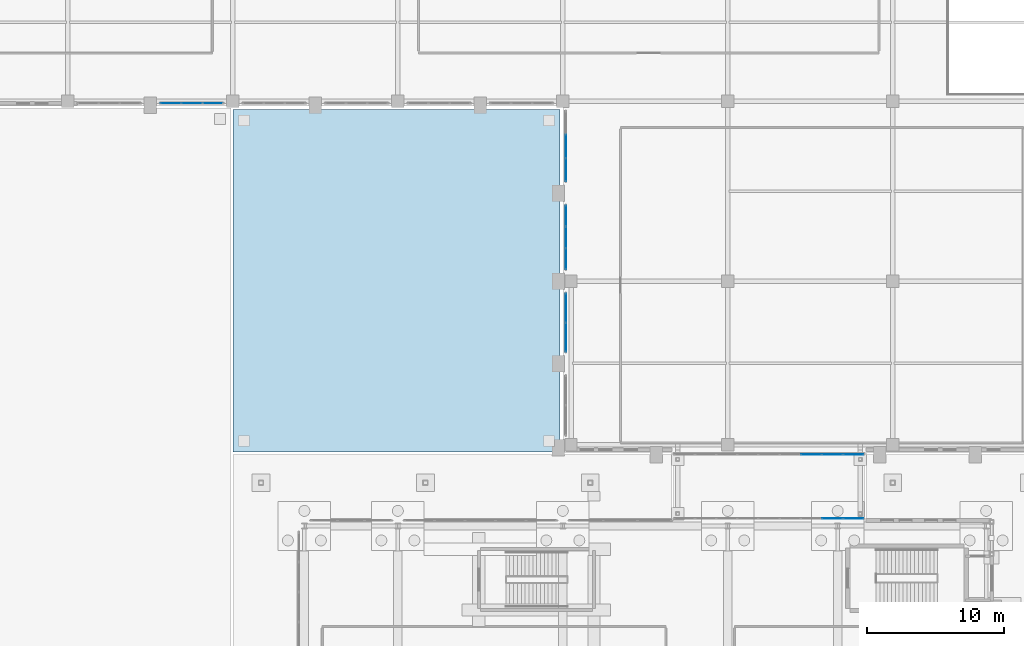
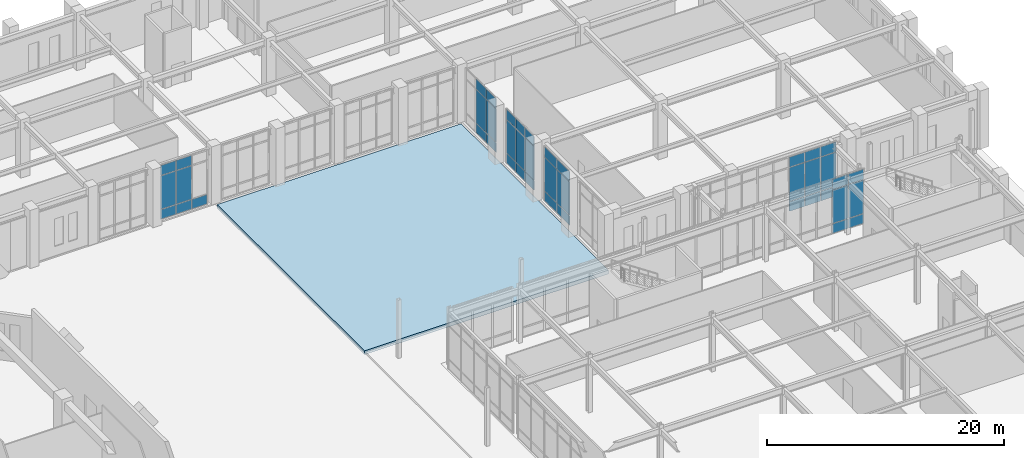
# One storey, part 95 of 143: 43 plates, 1 slab, 6 elements without a shape of their own.
"""IFC4 building model written with IfcOpenShell, lengths in metres."""

from ifc_helpers import new_model, si_unit, derived_unit, direction, frame, origin, origin_2d, place, context, subcontext, project, spatial, polyline, rectangle, outline, extrude, material, layer, layer_set, type_object, element, aggregate, save


model = new_model("IFC4")

# Units and contexts
model_context = context("Model", 3, precision=1e-05, world=origin(), true_north=direction((0.0, 1.0)))
body_context = subcontext(model_context, "Body", "Model", "MODEL_VIEW")
ifc_project = project(units=[si_unit("LENGTHUNIT", "METRE"), si_unit("AREAUNIT", "SQUARE_METRE"), si_unit("VOLUMEUNIT", "CUBIC_METRE"), si_unit("PLANEANGLEUNIT", "RADIAN"), si_unit("MASSUNIT", "GRAM", prefix="KILO"), derived_unit("THERMALTRANSMITTANCEUNIT", [(si_unit("MASSUNIT", "GRAM", prefix="KILO"), 1), (si_unit("TIMEUNIT", "SECOND"), -3), (si_unit("THERMODYNAMICTEMPERATUREUNIT", "KELVIN"), -1)])], contexts=[model_context])

# Site, building, storey
site_placement = place(None, origin())
site = spatial("IfcSite", under=ifc_project, at=site_placement, CompositionType="ELEMENT")
building_placement = place(site_placement, origin())
building = spatial("IfcBuilding", under=site, at=building_placement, Name="Valcora Ridge Arena", CompositionType="ELEMENT")
storey_placement = place(building_placement, origin())
storey = spatial("IfcBuildingStorey", under=building, at=storey_placement, Name="L00", CompositionType="ELEMENT", Elevation=0.0)

# Curtain wall, plate
ifc_material_1 = material(Name="Anodised dark bronze architectural aluminium 6063-T6", Category="aluminium")
ifc_layer_1 = layer(ifc_material_1, 0.14990234375, Name="Anodised dark bronze architectural aluminium 6063-T6")
ifc_layer_set_1 = layer_set([ifc_layer_1], Name="Anodised dark bronze architectural aluminium 6063-T6")
curtain_wall_type_1 = type_object("IfcCurtainWallType", Name="TY-CURTAINWALL-CW-BRG-138X57", PredefinedType="NOTDEFINED", material=ifc_layer_set_1)
curtain_wall_1_placement = place(storey_placement, origin())
curtain_wall_1 = element("IfcCurtainWall", 1, at=curtain_wall_1_placement, inside=storey, type_object=curtain_wall_type_1, Name="CW-BRG-138X57 CW-0354", PredefinedType="NOTDEFINED")
ifc_material_2 = material(Name="Low-iron solar-control double glazing SHGC 0.28", Category="glass")
ifc_layer_2 = layer(ifc_material_2, 0.028076171875, Name="Low-iron solar-control double glazing SHGC 0.28")
ifc_layer_set_2 = layer_set([ifc_layer_2], Name="Low-iron solar-control double glazing SHGC 0.28")
plate_type_1 = type_object("IfcPlateType", Name="TY-PLT-CWP-1463X0975", PredefinedType="CURTAIN_PANEL", material=ifc_layer_set_2)
plate_1_placement = place(storey_placement, frame((177.138427734375, 78.35009765625, 0.050048828125), z_axis=(0.0, 0.0, 1.0), x_axis=(1.0, 0.0, 0.0)))
plate_1 = element("IfcPlate", 2, at=plate_1_placement, type_object=plate_type_1, Name="CW-0354/P08-00", PredefinedType="CURTAIN_PANEL", context=body_context, shape_type="SweptSolid", body=[
    extrude(rectangle(XDim=1.462890625, YDim=0.028076171875, at=origin_2d()), origin(), (0.0, 0.0, 1.0), 0.97509765625),
])

curtain_wall_2_placement = place(storey_placement, origin())
curtain_wall_2 = element("IfcCurtainWall", 3, at=curtain_wall_2_placement, inside=storey, type_object=curtain_wall_type_1, Name="CW-BRG-138X57 CW-0355", PredefinedType="NOTDEFINED")
plate_2_placement = place(storey_placement, frame((177.138427734375, 83.0, 0.050048828125), z_axis=(0.0, 0.0, 1.0), x_axis=(1.0, 0.0, 0.0)))
plate_2 = element("IfcPlate", 4, at=plate_2_placement, type_object=plate_type_1, Name="CW-0355/P08-00", PredefinedType="CURTAIN_PANEL", context=body_context, shape_type="SweptSolid", body=[
    extrude(rectangle(XDim=1.462890625, YDim=0.028076171875, at=origin_2d()), origin(), (0.0, 0.0, 1.0), 0.97509765625),
])

# Plate
ifc_layer_3 = layer(ifc_material_2, 0.028076171875, Name="Low-iron solar-control double glazing SHGC 0.28")
ifc_layer_set_3 = layer_set([ifc_layer_3], Name="Low-iron solar-control double glazing SHGC 0.28")
plate_type_2 = type_object("IfcPlateType", Name="TY-PLT-CWP-1463X1025", PredefinedType="CURTAIN_PANEL", material=ifc_layer_set_3)
plate_3_placement = place(storey_placement, frame((177.138427734375, 78.35009765625, 4.60498046875), z_axis=(0.0, 0.0, 1.0), x_axis=(1.0, 0.0, 0.0)))
plate_3 = element("IfcPlate", 5, at=plate_3_placement, type_object=plate_type_2, Name="CW-0354/P08-02", PredefinedType="CURTAIN_PANEL", context=body_context, shape_type="SweptSolid", body=[
    extrude(rectangle(XDim=1.462890625, YDim=0.028076171875, at=origin_2d()), origin(), (0.0, 0.0, 1.0), 1.02490234375),
])

plate_4_placement = place(storey_placement, frame((177.138427734375, 83.0, 4.60498046875), z_axis=(0.0, 0.0, 1.0), x_axis=(1.0, 0.0, 0.0)))
plate_4 = element("IfcPlate", 6, at=plate_4_placement, type_object=plate_type_2, Name="CW-0355/P08-02", PredefinedType="CURTAIN_PANEL", context=body_context, shape_type="SweptSolid", body=[
    extrude(rectangle(XDim=1.462890625, YDim=0.028076171875, at=origin_2d()), origin(), (0.0, 0.0, 1.0), 1.02490234375),
])

ifc_layer_4 = layer(ifc_material_2, 0.028076171875, Name="Low-iron solar-control double glazing SHGC 0.28")
ifc_layer_set_4 = layer_set([ifc_layer_4], Name="Low-iron solar-control double glazing SHGC 0.28")
plate_type_3 = type_object("IfcPlateType", Name="TY-PLT-CWP-1463X3480", PredefinedType="CURTAIN_PANEL", material=ifc_layer_set_4)
plate_5_placement = place(storey_placement, frame((177.138427734375, 78.35009765625, 1.074951171875), z_axis=(0.0, 0.0, 1.0), x_axis=(1.0, 0.0, 0.0)))
plate_5 = element("IfcPlate", 7, at=plate_5_placement, type_object=plate_type_3, Name="CW-0354/P08-01", PredefinedType="CURTAIN_PANEL", context=body_context, shape_type="SweptSolid", body=[
    extrude(rectangle(XDim=1.462890625, YDim=0.028076171875, at=origin_2d()), origin(), (0.0, 0.0, 1.0), 3.47998046875),
])

plate_6_placement = place(storey_placement, frame((177.138427734375, 83.0, 1.074951171875), z_axis=(0.0, 0.0, 1.0), x_axis=(1.0, 0.0, 0.0)))
plate_6 = element("IfcPlate", 8, at=plate_6_placement, type_object=plate_type_3, Name="CW-0355/P08-01", PredefinedType="CURTAIN_PANEL", context=body_context, shape_type="SweptSolid", body=[
    extrude(rectangle(XDim=1.462890625, YDim=0.028076171875, at=origin_2d()), origin(), (0.0, 0.0, 1.0), 3.47998046875),
])

# Curtain wall, plates
ifc_layer_5 = layer(ifc_material_1, 0.14990234375, Name="Anodised dark bronze architectural aluminium 6063-T6")
ifc_layer_set_5 = layer_set([ifc_layer_5], Name="Anodised dark bronze architectural aluminium 6063-T6")
curtain_wall_type_2 = type_object("IfcCurtainWallType", Name="TY-CURTAINWALL-CW-V5-MED-046X56", PredefinedType="NOTDEFINED", material=ifc_layer_set_5)
curtain_wall_3_placement = place(storey_placement, origin())
curtain_wall_3 = element("IfcCurtainWall", 9, at=curtain_wall_3_placement, inside=storey, type_object=curtain_wall_type_2, Name="CW-V5-MED-046X56 CW-0307", PredefinedType="NOTDEFINED")
ifc_layer_6 = layer(ifc_material_2, 0.028076171875, Name="Low-iron solar-control double glazing SHGC 0.28")
ifc_layer_set_6 = layer_set([ifc_layer_6], Name="Low-iron solar-control double glazing SHGC 0.28")
plate_type_4 = type_object("IfcPlateType", Name="TY-PLT-CWP-1465X0975", PredefinedType="CURTAIN_PANEL", material=ifc_layer_set_6)
plate_7_placement = place(storey_placement, frame((127.472412109375, 108.550048828125, 0.050048828125), z_axis=(0.0, 0.0, 1.0), x_axis=(1.0, 0.0, 0.0)))
plate_7 = element("IfcPlate", 10, at=plate_7_placement, type_object=plate_type_4, Name="CW-0307/P00-00", PredefinedType="CURTAIN_PANEL", context=body_context, shape_type="SweptSolid", body=[
    extrude(rectangle(XDim=1.465087890625, YDim=0.028076171875, at=origin_2d()), origin(), (0.0, 0.0, 1.0), 0.97509765625),
])
plate_8_placement = place(storey_placement, frame((130.527587890625, 108.550048828125, 0.050048828125), z_axis=(0.0, 0.0, 1.0), x_axis=(1.0, 0.0, 0.0)))
plate_8 = element("IfcPlate", 11, at=plate_8_placement, type_object=plate_type_4, Name="CW-0307/P02-00", PredefinedType="CURTAIN_PANEL", context=body_context, shape_type="SweptSolid", body=[
    extrude(rectangle(XDim=1.465087890625, YDim=0.028076171875, at=origin_2d()), origin(), (0.0, 0.0, 1.0), 0.97509765625),
])
ifc_layer_7 = layer(ifc_material_2, 0.028076171875, Name="Low-iron solar-control double glazing SHGC 0.28")
ifc_layer_set_7 = layer_set([ifc_layer_7], Name="Low-iron solar-control double glazing SHGC 0.28")
plate_type_5 = type_object("IfcPlateType", Name="TY-PLT-CWP-1465X1025", PredefinedType="CURTAIN_PANEL", material=ifc_layer_set_7)
plate_9_placement = place(storey_placement, frame((127.472412109375, 108.550048828125, 4.56494140625), z_axis=(0.0, 0.0, 1.0), x_axis=(1.0, 0.0, 0.0)))
plate_9 = element("IfcPlate", 12, at=plate_9_placement, type_object=plate_type_5, Name="CW-0307/P00-02", PredefinedType="CURTAIN_PANEL", context=body_context, shape_type="SweptSolid", body=[
    extrude(rectangle(XDim=1.465087890625, YDim=0.028076171875, at=origin_2d()), origin(), (0.0, 0.0, 1.0), 1.02490234375),
])
ifc_layer_8 = layer(ifc_material_2, 0.028076171875, Name="Low-iron solar-control double glazing SHGC 0.28")
ifc_layer_set_8 = layer_set([ifc_layer_8], Name="Low-iron solar-control double glazing SHGC 0.28")
plate_type_6 = type_object("IfcPlateType", Name="TY-PLT-CWP-1465X3440", PredefinedType="CURTAIN_PANEL", material=ifc_layer_set_8)
plate_10_placement = place(storey_placement, frame((127.472412109375, 108.550048828125, 1.074951171875), z_axis=(0.0, 0.0, 1.0), x_axis=(1.0, 0.0, 0.0)))
plate_10 = element("IfcPlate", 13, at=plate_10_placement, type_object=plate_type_6, Name="CW-0307/P00-01", PredefinedType="CURTAIN_PANEL", context=body_context, shape_type="SweptSolid", body=[
    extrude(rectangle(XDim=1.465087890625, YDim=0.028076171875, at=origin_2d()), origin(), (0.0, 0.0, 1.0), 3.43994140625),
])

# Plate
ifc_layer_9 = layer(ifc_material_2, 0.028076171875, Name="Low-iron solar-control double glazing SHGC 0.28")
ifc_layer_set_9 = layer_set([ifc_layer_9], Name="Low-iron solar-control double glazing SHGC 0.28")
plate_type_7 = type_object("IfcPlateType", Name="TY-PLT-CWP-1487X0975", PredefinedType="CURTAIN_PANEL", material=ifc_layer_set_9)
plate_11_placement = place(storey_placement, frame((174.075439453125, 83.0, 0.050048828125), z_axis=(0.0, 0.0, 1.0), x_axis=(1.0, 0.0, 0.0)))
plate_11 = element("IfcPlate", 14, at=plate_11_placement, type_object=plate_type_7, Name="CW-0355/P06-00", PredefinedType="CURTAIN_PANEL", context=body_context, shape_type="SweptSolid", body=[
    extrude(rectangle(XDim=1.487060546875, YDim=0.028076171875, at=origin_2d()), origin(), (0.0, 0.0, 1.0), 0.97509765625),
])

ifc_layer_10 = layer(ifc_material_2, 0.028076171875, Name="Low-iron solar-control double glazing SHGC 0.28")
ifc_layer_set_10 = layer_set([ifc_layer_10], Name="Low-iron solar-control double glazing SHGC 0.28")
plate_type_8 = type_object("IfcPlateType", Name="TY-PLT-CWP-1487X1025", PredefinedType="CURTAIN_PANEL", material=ifc_layer_set_10)
plate_12_placement = place(storey_placement, frame((174.075439453125, 83.0, 4.60498046875), z_axis=(0.0, 0.0, 1.0), x_axis=(1.0, 0.0, 0.0)))
plate_12 = element("IfcPlate", 15, at=plate_12_placement, type_object=plate_type_8, Name="CW-0355/P06-02", PredefinedType="CURTAIN_PANEL", context=body_context, shape_type="SweptSolid", body=[
    extrude(rectangle(XDim=1.487060546875, YDim=0.028076171875, at=origin_2d()), origin(), (0.0, 0.0, 1.0), 1.02490234375),
])

ifc_layer_11 = layer(ifc_material_2, 0.028076171875, Name="Low-iron solar-control double glazing SHGC 0.28")
ifc_layer_set_11 = layer_set([ifc_layer_11], Name="Low-iron solar-control double glazing SHGC 0.28")
plate_type_9 = type_object("IfcPlateType", Name="TY-PLT-CWP-1487X3480", PredefinedType="CURTAIN_PANEL", material=ifc_layer_set_11)
plate_13_placement = place(storey_placement, frame((174.075439453125, 83.0, 1.074951171875), z_axis=(0.0, 0.0, 1.0), x_axis=(1.0, 0.0, 0.0)))
plate_13 = element("IfcPlate", 16, at=plate_13_placement, type_object=plate_type_9, Name="CW-0355/P06-01", PredefinedType="CURTAIN_PANEL", context=body_context, shape_type="SweptSolid", body=[
    extrude(rectangle(XDim=1.487060546875, YDim=0.028076171875, at=origin_2d()), origin(), (0.0, 0.0, 1.0), 3.47998046875),
])

ifc_layer_12 = layer(ifc_material_2, 0.028076171875, Name="Low-iron solar-control double glazing SHGC 0.28")
ifc_layer_set_12 = layer_set([ifc_layer_12], Name="Low-iron solar-control double glazing SHGC 0.28")
plate_type_10 = type_object("IfcPlateType", Name="TY-PLT-CWP-1488X0975", PredefinedType="CURTAIN_PANEL", material=ifc_layer_set_12)
plate_14_placement = place(storey_placement, frame((175.613037109375, 78.35009765625, 0.050048828125), z_axis=(0.0, 0.0, 1.0), x_axis=(1.0, 0.0, 0.0)))
plate_14 = element("IfcPlate", 17, at=plate_14_placement, type_object=plate_type_10, Name="CW-0354/P07-00", PredefinedType="CURTAIN_PANEL", context=body_context, shape_type="SweptSolid", body=[
    extrude(rectangle(XDim=1.488037109375, YDim=0.028076171875, at=origin_2d()), origin(), (0.0, 0.0, 1.0), 0.97509765625),
])

plate_15_placement = place(storey_placement, frame((175.613037109375, 83.0, 0.050048828125), z_axis=(0.0, 0.0, 1.0), x_axis=(1.0, 0.0, 0.0)))
plate_15 = element("IfcPlate", 18, at=plate_15_placement, type_object=plate_type_10, Name="CW-0355/P07-00", PredefinedType="CURTAIN_PANEL", context=body_context, shape_type="SweptSolid", body=[
    extrude(rectangle(XDim=1.488037109375, YDim=0.028076171875, at=origin_2d()), origin(), (0.0, 0.0, 1.0), 0.97509765625),
])

ifc_layer_13 = layer(ifc_material_2, 0.028076171875, Name="Low-iron solar-control double glazing SHGC 0.28")
ifc_layer_set_13 = layer_set([ifc_layer_13], Name="Low-iron solar-control double glazing SHGC 0.28")
plate_type_11 = type_object("IfcPlateType", Name="TY-PLT-CWP-1488X1025", PredefinedType="CURTAIN_PANEL", material=ifc_layer_set_13)
plate_16_placement = place(storey_placement, frame((175.613037109375, 78.35009765625, 4.60498046875), z_axis=(0.0, 0.0, 1.0), x_axis=(1.0, 0.0, 0.0)))
plate_16 = element("IfcPlate", 19, at=plate_16_placement, type_object=plate_type_11, Name="CW-0354/P07-02", PredefinedType="CURTAIN_PANEL", context=body_context, shape_type="SweptSolid", body=[
    extrude(rectangle(XDim=1.488037109375, YDim=0.028076171875, at=origin_2d()), origin(), (0.0, 0.0, 1.0), 1.02490234375),
])

plate_17_placement = place(storey_placement, frame((175.613037109375, 83.0, 4.60498046875), z_axis=(0.0, 0.0, 1.0), x_axis=(1.0, 0.0, 0.0)))
plate_17 = element("IfcPlate", 20, at=plate_17_placement, type_object=plate_type_11, Name="CW-0355/P07-02", PredefinedType="CURTAIN_PANEL", context=body_context, shape_type="SweptSolid", body=[
    extrude(rectangle(XDim=1.488037109375, YDim=0.028076171875, at=origin_2d()), origin(), (0.0, 0.0, 1.0), 1.02490234375),
])

ifc_layer_14 = layer(ifc_material_2, 0.028076171875, Name="Low-iron solar-control double glazing SHGC 0.28")
ifc_layer_set_14 = layer_set([ifc_layer_14], Name="Low-iron solar-control double glazing SHGC 0.28")
plate_type_12 = type_object("IfcPlateType", Name="TY-PLT-CWP-1488X3480", PredefinedType="CURTAIN_PANEL", material=ifc_layer_set_14)
plate_18_placement = place(storey_placement, frame((175.613037109375, 78.35009765625, 1.074951171875), z_axis=(0.0, 0.0, 1.0), x_axis=(1.0, 0.0, 0.0)))
plate_18 = element("IfcPlate", 21, at=plate_18_placement, type_object=plate_type_12, Name="CW-0354/P07-01", PredefinedType="CURTAIN_PANEL", context=body_context, shape_type="SweptSolid", body=[
    extrude(rectangle(XDim=1.488037109375, YDim=0.028076171875, at=origin_2d()), origin(), (0.0, 0.0, 1.0), 3.47998046875),
])

aggregate(curtain_wall_1, [plate_14, plate_18, plate_16, plate_1, plate_5, plate_3])

plate_19_placement = place(storey_placement, frame((175.613037109375, 83.0, 1.074951171875), z_axis=(0.0, 0.0, 1.0), x_axis=(1.0, 0.0, 0.0)))
plate_19 = element("IfcPlate", 22, at=plate_19_placement, type_object=plate_type_12, Name="CW-0355/P07-01", PredefinedType="CURTAIN_PANEL", context=body_context, shape_type="SweptSolid", body=[
    extrude(rectangle(XDim=1.488037109375, YDim=0.028076171875, at=origin_2d()), origin(), (0.0, 0.0, 1.0), 3.47998046875),
])

aggregate(curtain_wall_2, [plate_11, plate_13, plate_12, plate_15, plate_19, plate_17, plate_2, plate_6, plate_4])

ifc_layer_15 = layer(ifc_material_2, 0.028076171875, Name="Low-iron solar-control double glazing SHGC 0.28")
ifc_layer_set_15 = layer_set([ifc_layer_15], Name="Low-iron solar-control double glazing SHGC 0.28")
plate_type_13 = type_object("IfcPlateType", Name="TY-PLT-CWP-1490X0975", PredefinedType="CURTAIN_PANEL", material=ifc_layer_set_15)
plate_20_placement = place(storey_placement, frame((129.0, 108.550048828125, 0.050048828125), z_axis=(0.0, 0.0, 1.0), x_axis=(1.0, 0.0, 0.0)))
plate_20 = element("IfcPlate", 23, at=plate_20_placement, type_object=plate_type_13, Name="CW-0307/P01-00", PredefinedType="CURTAIN_PANEL", context=body_context, shape_type="SweptSolid", body=[
    extrude(rectangle(XDim=1.489990234375, YDim=0.028076171875, at=origin_2d()), origin(), (0.0, 0.0, 1.0), 0.97509765625),
])

ifc_layer_16 = layer(ifc_material_2, 0.028076171875, Name="Low-iron solar-control double glazing SHGC 0.28")
ifc_layer_set_16 = layer_set([ifc_layer_16], Name="Low-iron solar-control double glazing SHGC 0.28")
plate_type_14 = type_object("IfcPlateType", Name="TY-PLT-CWP-1490X1025", PredefinedType="CURTAIN_PANEL", material=ifc_layer_set_16)
plate_21_placement = place(storey_placement, frame((129.0, 108.550048828125, 4.56494140625), z_axis=(0.0, 0.0, 1.0), x_axis=(1.0, 0.0, 0.0)))
plate_21 = element("IfcPlate", 24, at=plate_21_placement, type_object=plate_type_14, Name="CW-0307/P01-02", PredefinedType="CURTAIN_PANEL", context=body_context, shape_type="SweptSolid", body=[
    extrude(rectangle(XDim=1.489990234375, YDim=0.028076171875, at=origin_2d()), origin(), (0.0, 0.0, 1.0), 1.02490234375),
])

ifc_layer_17 = layer(ifc_material_2, 0.028076171875, Name="Low-iron solar-control double glazing SHGC 0.28")
ifc_layer_set_17 = layer_set([ifc_layer_17], Name="Low-iron solar-control double glazing SHGC 0.28")
plate_type_15 = type_object("IfcPlateType", Name="TY-PLT-CWP-1490X3440", PredefinedType="CURTAIN_PANEL", material=ifc_layer_set_17)
plate_22_placement = place(storey_placement, frame((129.0, 108.550048828125, 1.074951171875), z_axis=(0.0, 0.0, 1.0), x_axis=(1.0, 0.0, 0.0)))
plate_22 = element("IfcPlate", 25, at=plate_22_placement, type_object=plate_type_15, Name="CW-0307/P01-01", PredefinedType="CURTAIN_PANEL", context=body_context, shape_type="SweptSolid", body=[
    extrude(rectangle(XDim=1.489990234375, YDim=0.028076171875, at=origin_2d()), origin(), (0.0, 0.0, 1.0), 3.43994140625),
])

aggregate(curtain_wall_3, [plate_7, plate_10, plate_9, plate_20, plate_22, plate_21, plate_8])

# Curtain wall, plates
ifc_layer_18 = layer(ifc_material_1, 0.14990234375, Name="Anodised dark bronze architectural aluminium 6063-T6")
ifc_layer_set_18 = layer_set([ifc_layer_18], Name="Anodised dark bronze architectural aluminium 6063-T6")
curtain_wall_type_3 = type_object("IfcCurtainWallType", Name="TY-CURTAINWALL-CW-V5-MED-047X56", PredefinedType="NOTDEFINED", material=ifc_layer_set_18)
curtain_wall_4_placement = place(storey_placement, origin())
curtain_wall_4 = element("IfcCurtainWall", 26, at=curtain_wall_4_placement, inside=storey, type_object=curtain_wall_type_3, Name="CW-V5-MED-047X56 CW-0314", PredefinedType="NOTDEFINED")
ifc_layer_19 = layer(ifc_material_2, 0.028076171875, Name="Low-iron solar-control double glazing SHGC 0.28")
ifc_layer_set_19 = layer_set([ifc_layer_19], Name="Low-iron solar-control double glazing SHGC 0.28")
plate_type_16 = type_object("IfcPlateType", Name="TY-PLT-CWP-1498X0975", PredefinedType="CURTAIN_PANEL", material=ifc_layer_set_19)
plate_23_placement = place(storey_placement, frame((156.219970703125, 97.239013671875, 0.050048828125), z_axis=(0.0, 0.0, 1.0), x_axis=(0.0, 1.0, 0.0)))
plate_23 = element("IfcPlate", 27, at=plate_23_placement, type_object=plate_type_16, Name="CW-0314/P00-00", PredefinedType="CURTAIN_PANEL", context=body_context, shape_type="SweptSolid", body=[
    extrude(rectangle(XDim=1.498046875, YDim=0.028076171875, at=origin_2d()), origin(), (0.0, 0.0, 1.0), 0.97509765625),
])
plate_24_placement = place(storey_placement, frame((156.219970703125, 100.361083984375, 0.050048828125), z_axis=(0.0, 0.0, 1.0), x_axis=(0.0, 1.0, 0.0)))
plate_24 = element("IfcPlate", 28, at=plate_24_placement, type_object=plate_type_16, Name="CW-0314/P02-00", PredefinedType="CURTAIN_PANEL", context=body_context, shape_type="SweptSolid", body=[
    extrude(rectangle(XDim=1.498046875, YDim=0.028076171875, at=origin_2d()), origin(), (0.0, 0.0, 1.0), 0.97509765625),
])
ifc_layer_20 = layer(ifc_material_2, 0.028076171875, Name="Low-iron solar-control double glazing SHGC 0.28")
ifc_layer_set_20 = layer_set([ifc_layer_20], Name="Low-iron solar-control double glazing SHGC 0.28")
plate_type_17 = type_object("IfcPlateType", Name="TY-PLT-CWP-1498X1025", PredefinedType="CURTAIN_PANEL", material=ifc_layer_set_20)
plate_25_placement = place(storey_placement, frame((156.219970703125, 97.239013671875, 4.56494140625), z_axis=(0.0, 0.0, 1.0), x_axis=(0.0, 1.0, 0.0)))
plate_25 = element("IfcPlate", 29, at=plate_25_placement, type_object=plate_type_17, Name="CW-0314/P00-02", PredefinedType="CURTAIN_PANEL", context=body_context, shape_type="SweptSolid", body=[
    extrude(rectangle(XDim=1.498046875, YDim=0.028076171875, at=origin_2d()), origin(), (0.0, 0.0, 1.0), 1.02490234375),
])
plate_26_placement = place(storey_placement, frame((156.219970703125, 100.361083984375, 4.56494140625), z_axis=(0.0, 0.0, 1.0), x_axis=(0.0, 1.0, 0.0)))
plate_26 = element("IfcPlate", 30, at=plate_26_placement, type_object=plate_type_17, Name="CW-0314/P02-02", PredefinedType="CURTAIN_PANEL", context=body_context, shape_type="SweptSolid", body=[
    extrude(rectangle(XDim=1.498046875, YDim=0.028076171875, at=origin_2d()), origin(), (0.0, 0.0, 1.0), 1.02490234375),
])
ifc_layer_21 = layer(ifc_material_2, 0.028076171875, Name="Low-iron solar-control double glazing SHGC 0.28")
ifc_layer_set_21 = layer_set([ifc_layer_21], Name="Low-iron solar-control double glazing SHGC 0.28")
plate_type_18 = type_object("IfcPlateType", Name="TY-PLT-CWP-1498X3440", PredefinedType="CURTAIN_PANEL", material=ifc_layer_set_21)
plate_27_placement = place(storey_placement, frame((156.219970703125, 97.239013671875, 1.074951171875), z_axis=(0.0, 0.0, 1.0), x_axis=(0.0, 1.0, 0.0)))
plate_27 = element("IfcPlate", 31, at=plate_27_placement, type_object=plate_type_18, Name="CW-0314/P00-01", PredefinedType="CURTAIN_PANEL", context=body_context, shape_type="SweptSolid", body=[
    extrude(rectangle(XDim=1.498046875, YDim=0.028076171875, at=origin_2d()), origin(), (0.0, 0.0, 1.0), 3.43994140625),
])
plate_28_placement = place(storey_placement, frame((156.219970703125, 100.361083984375, 1.074951171875), z_axis=(0.0, 0.0, 1.0), x_axis=(0.0, 1.0, 0.0)))
plate_28 = element("IfcPlate", 32, at=plate_28_placement, type_object=plate_type_18, Name="CW-0314/P02-01", PredefinedType="CURTAIN_PANEL", context=body_context, shape_type="SweptSolid", body=[
    extrude(rectangle(XDim=1.498046875, YDim=0.028076171875, at=origin_2d()), origin(), (0.0, 0.0, 1.0), 3.43994140625),
])
ifc_layer_22 = layer(ifc_material_2, 0.028076171875, Name="Low-iron solar-control double glazing SHGC 0.28")
ifc_layer_set_22 = layer_set([ifc_layer_22], Name="Low-iron solar-control double glazing SHGC 0.28")
plate_type_19 = type_object("IfcPlateType", Name="TY-PLT-CWP-1524X0975", PredefinedType="CURTAIN_PANEL", material=ifc_layer_set_22)
plate_29_placement = place(storey_placement, frame((156.219970703125, 98.800048828125, 0.050048828125), z_axis=(0.0, 0.0, 1.0), x_axis=(0.0, 1.0, 0.0)))
plate_29 = element("IfcPlate", 33, at=plate_29_placement, type_object=plate_type_19, Name="CW-0314/P01-00", PredefinedType="CURTAIN_PANEL", context=body_context, shape_type="SweptSolid", body=[
    extrude(rectangle(XDim=1.52392578125, YDim=0.028076171875, at=origin_2d()), origin(), (0.0, 0.0, 1.0), 0.97509765625),
])
ifc_layer_23 = layer(ifc_material_2, 0.028076171875, Name="Low-iron solar-control double glazing SHGC 0.28")
ifc_layer_set_23 = layer_set([ifc_layer_23], Name="Low-iron solar-control double glazing SHGC 0.28")
plate_type_20 = type_object("IfcPlateType", Name="TY-PLT-CWP-1524X1025", PredefinedType="CURTAIN_PANEL", material=ifc_layer_set_23)
plate_30_placement = place(storey_placement, frame((156.219970703125, 98.800048828125, 4.56494140625), z_axis=(0.0, 0.0, 1.0), x_axis=(0.0, 1.0, 0.0)))
plate_30 = element("IfcPlate", 34, at=plate_30_placement, type_object=plate_type_20, Name="CW-0314/P01-02", PredefinedType="CURTAIN_PANEL", context=body_context, shape_type="SweptSolid", body=[
    extrude(rectangle(XDim=1.52392578125, YDim=0.028076171875, at=origin_2d()), origin(), (0.0, 0.0, 1.0), 1.02490234375),
])
ifc_layer_24 = layer(ifc_material_2, 0.028076171875, Name="Low-iron solar-control double glazing SHGC 0.28")
ifc_layer_set_24 = layer_set([ifc_layer_24], Name="Low-iron solar-control double glazing SHGC 0.28")
plate_type_21 = type_object("IfcPlateType", Name="TY-PLT-CWP-1524X3440", PredefinedType="CURTAIN_PANEL", material=ifc_layer_set_24)
plate_31_placement = place(storey_placement, frame((156.219970703125, 98.800048828125, 1.074951171875), z_axis=(0.0, 0.0, 1.0), x_axis=(0.0, 1.0, 0.0)))
plate_31 = element("IfcPlate", 35, at=plate_31_placement, type_object=plate_type_21, Name="CW-0314/P01-01", PredefinedType="CURTAIN_PANEL", context=body_context, shape_type="SweptSolid", body=[
    extrude(rectangle(XDim=1.52392578125, YDim=0.028076171875, at=origin_2d()), origin(), (0.0, 0.0, 1.0), 3.43994140625),
])
aggregate(curtain_wall_4, [plate_23, plate_27, plate_25, plate_29, plate_31, plate_30, plate_24, plate_28, plate_26])

ifc_layer_25 = layer(ifc_material_1, 0.14990234375, Name="Anodised dark bronze architectural aluminium 6063-T6")
ifc_layer_set_25 = layer_set([ifc_layer_25], Name="Anodised dark bronze architectural aluminium 6063-T6")
curtain_wall_type_4 = type_object("IfcCurtainWallType", Name="TY-CURTAINWALL-CW-V5-MED-052X56", PredefinedType="NOTDEFINED", material=ifc_layer_set_25)
curtain_wall_5_placement = place(storey_placement, origin())
curtain_wall_5 = element("IfcCurtainWall", 36, at=curtain_wall_5_placement, inside=storey, type_object=curtain_wall_type_4, Name="CW-V5-MED-052X56 CW-0315", PredefinedType="NOTDEFINED")
ifc_layer_26 = layer(ifc_material_2, 0.028076171875, Name="Low-iron solar-control double glazing SHGC 0.28")
ifc_layer_set_26 = layer_set([ifc_layer_26], Name="Low-iron solar-control double glazing SHGC 0.28")
plate_type_22 = type_object("IfcPlateType", Name="TY-PLT-CWP-1648X0975", PredefinedType="CURTAIN_PANEL", material=ifc_layer_set_26)
plate_32_placement = place(storey_placement, frame((156.219970703125, 103.714111328125, 0.050048828125), z_axis=(0.0, 0.0, 1.0), x_axis=(0.0, 1.0, 0.0)))
plate_32 = element("IfcPlate", 37, at=plate_32_placement, type_object=plate_type_22, Name="CW-0315/P00-00", PredefinedType="CURTAIN_PANEL", context=body_context, shape_type="SweptSolid", body=[
    extrude(rectangle(XDim=1.64794921875, YDim=0.028076171875, at=origin_2d()), origin(), (0.0, 0.0, 1.0), 0.97509765625),
])
ifc_layer_27 = layer(ifc_material_2, 0.028076171875, Name="Low-iron solar-control double glazing SHGC 0.28")
ifc_layer_set_27 = layer_set([ifc_layer_27], Name="Low-iron solar-control double glazing SHGC 0.28")
plate_type_23 = type_object("IfcPlateType", Name="TY-PLT-CWP-1648X1025", PredefinedType="CURTAIN_PANEL", material=ifc_layer_set_27)
plate_33_placement = place(storey_placement, frame((156.219970703125, 103.714111328125, 4.56494140625), z_axis=(0.0, 0.0, 1.0), x_axis=(0.0, 1.0, 0.0)))
plate_33 = element("IfcPlate", 38, at=plate_33_placement, type_object=plate_type_23, Name="CW-0315/P00-02", PredefinedType="CURTAIN_PANEL", context=body_context, shape_type="SweptSolid", body=[
    extrude(rectangle(XDim=1.64794921875, YDim=0.028076171875, at=origin_2d()), origin(), (0.0, 0.0, 1.0), 1.02490234375),
])
ifc_layer_28 = layer(ifc_material_2, 0.028076171875, Name="Low-iron solar-control double glazing SHGC 0.28")
ifc_layer_set_28 = layer_set([ifc_layer_28], Name="Low-iron solar-control double glazing SHGC 0.28")
plate_type_24 = type_object("IfcPlateType", Name="TY-PLT-CWP-1648X3440", PredefinedType="CURTAIN_PANEL", material=ifc_layer_set_28)
plate_34_placement = place(storey_placement, frame((156.219970703125, 103.714111328125, 1.074951171875), z_axis=(0.0, 0.0, 1.0), x_axis=(0.0, 1.0, 0.0)))
plate_34 = element("IfcPlate", 39, at=plate_34_placement, type_object=plate_type_24, Name="CW-0315/P00-01", PredefinedType="CURTAIN_PANEL", context=body_context, shape_type="SweptSolid", body=[
    extrude(rectangle(XDim=1.64794921875, YDim=0.028076171875, at=origin_2d()), origin(), (0.0, 0.0, 1.0), 3.43994140625),
])
ifc_layer_29 = layer(ifc_material_2, 0.028076171875, Name="Low-iron solar-control double glazing SHGC 0.28")
ifc_layer_set_29 = layer_set([ifc_layer_29], Name="Low-iron solar-control double glazing SHGC 0.28")
plate_type_25 = type_object("IfcPlateType", Name="TY-PLT-CWP-1674X0975", PredefinedType="CURTAIN_PANEL", material=ifc_layer_set_29)
plate_35_placement = place(storey_placement, frame((156.219970703125, 105.425048828125, 0.050048828125), z_axis=(0.0, 0.0, 1.0), x_axis=(0.0, 1.0, 0.0)))
plate_35 = element("IfcPlate", 40, at=plate_35_placement, type_object=plate_type_25, Name="CW-0315/P01-00", PredefinedType="CURTAIN_PANEL", context=body_context, shape_type="SweptSolid", body=[
    extrude(rectangle(XDim=1.674072265625, YDim=0.028076171875, at=origin_2d()), origin(), (0.0, 0.0, 1.0), 0.97509765625),
])
ifc_layer_30 = layer(ifc_material_2, 0.028076171875, Name="Low-iron solar-control double glazing SHGC 0.28")
ifc_layer_set_30 = layer_set([ifc_layer_30], Name="Low-iron solar-control double glazing SHGC 0.28")
plate_type_26 = type_object("IfcPlateType", Name="TY-PLT-CWP-1674X1025", PredefinedType="CURTAIN_PANEL", material=ifc_layer_set_30)
plate_36_placement = place(storey_placement, frame((156.219970703125, 105.425048828125, 4.56494140625), z_axis=(0.0, 0.0, 1.0), x_axis=(0.0, 1.0, 0.0)))
plate_36 = element("IfcPlate", 41, at=plate_36_placement, type_object=plate_type_26, Name="CW-0315/P01-02", PredefinedType="CURTAIN_PANEL", context=body_context, shape_type="SweptSolid", body=[
    extrude(rectangle(XDim=1.674072265625, YDim=0.028076171875, at=origin_2d()), origin(), (0.0, 0.0, 1.0), 1.02490234375),
])
ifc_layer_31 = layer(ifc_material_2, 0.028076171875, Name="Low-iron solar-control double glazing SHGC 0.28")
ifc_layer_set_31 = layer_set([ifc_layer_31], Name="Low-iron solar-control double glazing SHGC 0.28")
plate_type_27 = type_object("IfcPlateType", Name="TY-PLT-CWP-1674X3440", PredefinedType="CURTAIN_PANEL", material=ifc_layer_set_31)
plate_37_placement = place(storey_placement, frame((156.219970703125, 105.425048828125, 1.074951171875), z_axis=(0.0, 0.0, 1.0), x_axis=(0.0, 1.0, 0.0)))
plate_37 = element("IfcPlate", 42, at=plate_37_placement, type_object=plate_type_27, Name="CW-0315/P01-01", PredefinedType="CURTAIN_PANEL", context=body_context, shape_type="SweptSolid", body=[
    extrude(rectangle(XDim=1.674072265625, YDim=0.028076171875, at=origin_2d()), origin(), (0.0, 0.0, 1.0), 3.43994140625),
])
aggregate(curtain_wall_5, [plate_32, plate_34, plate_33, plate_35, plate_37, plate_36])

ifc_layer_32 = layer(ifc_material_1, 0.14990234375, Name="Anodised dark bronze architectural aluminium 6063-T6")
ifc_layer_set_32 = layer_set([ifc_layer_32], Name="Anodised dark bronze architectural aluminium 6063-T6")
curtain_wall_type_5 = type_object("IfcCurtainWallType", Name="TY-CURTAINWALL-CW-V5-MED-043X56", PredefinedType="NOTDEFINED", material=ifc_layer_set_32)
curtain_wall_6_placement = place(storey_placement, origin())
curtain_wall_6 = element("IfcCurtainWall", 43, at=curtain_wall_6_placement, inside=storey, type_object=curtain_wall_type_5, Name="CW-V5-MED-043X56 CW-0313", PredefinedType="NOTDEFINED")
ifc_layer_33 = layer(ifc_material_2, 0.028076171875, Name="Low-iron solar-control double glazing SHGC 0.28")
ifc_layer_set_33 = layer_set([ifc_layer_33], Name="Low-iron solar-control double glazing SHGC 0.28")
plate_type_28 = type_object("IfcPlateType", Name="TY-PLT-CWP-2085X0975", PredefinedType="CURTAIN_PANEL", material=ifc_layer_set_33)
plate_38_placement = place(storey_placement, frame((156.219970703125, 91.532470703125, 0.050048828125), z_axis=(0.0, 0.0, 1.0), x_axis=(0.0, 1.0, 0.0)))
plate_38 = element("IfcPlate", 44, at=plate_38_placement, type_object=plate_type_28, Name="CW-0313/P00-00", PredefinedType="CURTAIN_PANEL", context=body_context, shape_type="SweptSolid", body=[
    extrude(rectangle(XDim=2.0849609375, YDim=0.028076171875, at=origin_2d()), origin(), (0.0, 0.0, 1.0), 0.97509765625),
])
plate_39_placement = place(storey_placement, frame((156.219970703125, 93.66748046875, 0.050048828125), z_axis=(0.0, 0.0, 1.0), x_axis=(0.0, 1.0, 0.0)))
plate_39 = element("IfcPlate", 45, at=plate_39_placement, type_object=plate_type_28, Name="CW-0313/P01-00", PredefinedType="CURTAIN_PANEL", context=body_context, shape_type="SweptSolid", body=[
    extrude(rectangle(XDim=2.0849609375, YDim=0.028076171875, at=origin_2d()), origin(), (0.0, 0.0, 1.0), 0.97509765625),
])
ifc_layer_34 = layer(ifc_material_2, 0.028076171875, Name="Low-iron solar-control double glazing SHGC 0.28")
ifc_layer_set_34 = layer_set([ifc_layer_34], Name="Low-iron solar-control double glazing SHGC 0.28")
plate_type_29 = type_object("IfcPlateType", Name="TY-PLT-CWP-2085X1025", PredefinedType="CURTAIN_PANEL", material=ifc_layer_set_34)
plate_40_placement = place(storey_placement, frame((156.219970703125, 91.532470703125, 4.56494140625), z_axis=(0.0, 0.0, 1.0), x_axis=(0.0, 1.0, 0.0)))
plate_40 = element("IfcPlate", 46, at=plate_40_placement, type_object=plate_type_29, Name="CW-0313/P00-02", PredefinedType="CURTAIN_PANEL", context=body_context, shape_type="SweptSolid", body=[
    extrude(rectangle(XDim=2.0849609375, YDim=0.028076171875, at=origin_2d()), origin(), (0.0, 0.0, 1.0), 1.02490234375),
])
plate_41_placement = place(storey_placement, frame((156.219970703125, 93.66748046875, 4.56494140625), z_axis=(0.0, 0.0, 1.0), x_axis=(0.0, 1.0, 0.0)))
plate_41 = element("IfcPlate", 47, at=plate_41_placement, type_object=plate_type_29, Name="CW-0313/P01-02", PredefinedType="CURTAIN_PANEL", context=body_context, shape_type="SweptSolid", body=[
    extrude(rectangle(XDim=2.0849609375, YDim=0.028076171875, at=origin_2d()), origin(), (0.0, 0.0, 1.0), 1.02490234375),
])
ifc_layer_35 = layer(ifc_material_2, 0.028076171875, Name="Low-iron solar-control double glazing SHGC 0.28")
ifc_layer_set_35 = layer_set([ifc_layer_35], Name="Low-iron solar-control double glazing SHGC 0.28")
plate_type_30 = type_object("IfcPlateType", Name="TY-PLT-CWP-2085X3440", PredefinedType="CURTAIN_PANEL", material=ifc_layer_set_35)
plate_42_placement = place(storey_placement, frame((156.219970703125, 91.532470703125, 1.074951171875), z_axis=(0.0, 0.0, 1.0), x_axis=(0.0, 1.0, 0.0)))
plate_42 = element("IfcPlate", 48, at=plate_42_placement, type_object=plate_type_30, Name="CW-0313/P00-01", PredefinedType="CURTAIN_PANEL", context=body_context, shape_type="SweptSolid", body=[
    extrude(rectangle(XDim=2.0849609375, YDim=0.028076171875, at=origin_2d()), origin(), (0.0, 0.0, 1.0), 3.43994140625),
])
plate_43_placement = place(storey_placement, frame((156.219970703125, 93.66748046875, 1.074951171875), z_axis=(0.0, 0.0, 1.0), x_axis=(0.0, 1.0, 0.0)))
plate_43 = element("IfcPlate", 49, at=plate_43_placement, type_object=plate_type_30, Name="CW-0313/P01-01", PredefinedType="CURTAIN_PANEL", context=body_context, shape_type="SweptSolid", body=[
    extrude(rectangle(XDim=2.0849609375, YDim=0.028076171875, at=origin_2d()), origin(), (0.0, 0.0, 1.0), 3.43994140625),
])
aggregate(curtain_wall_6, [plate_38, plate_42, plate_40, plate_39, plate_43, plate_41])

# Slab
ifc_material_3 = material(Name="Concrete C40/50", Category="concrete")
ifc_layer_36 = layer(ifc_material_3, 0.39990234375, Name="Concrete C40/50")
ifc_layer_set_36 = layer_set([ifc_layer_36], Name="Concrete C40/50")
slab_type = type_object("IfcSlabType", Name="TY-SLAB-SL-CLOISTER-NE", PredefinedType="USERDEFINED", material=ifc_layer_set_36)
slab_placement = place(storey_placement, frame((0.0, 0.0, -0.39990234375)))
element("IfcSlab", 50, at=slab_placement, inside=storey, type_object=slab_type, Name="SL-CLOISTER-NE SLB-0032", ObjectType="PAVING", PredefinedType="USERDEFINED", context=body_context, shape_type="SweptSolid", body=[
    extrude(outline(polyline([(155.800048828125, 83.199951171875), (155.800048828125, 108.10009765625), (132.0, 108.10009765625), (132.0, 83.199951171875), (155.800048828125, 83.199951171875)])), origin(), (0.0, 0.0, 1.0), 0.39990234375),
])

save(model, "model.ifc")
